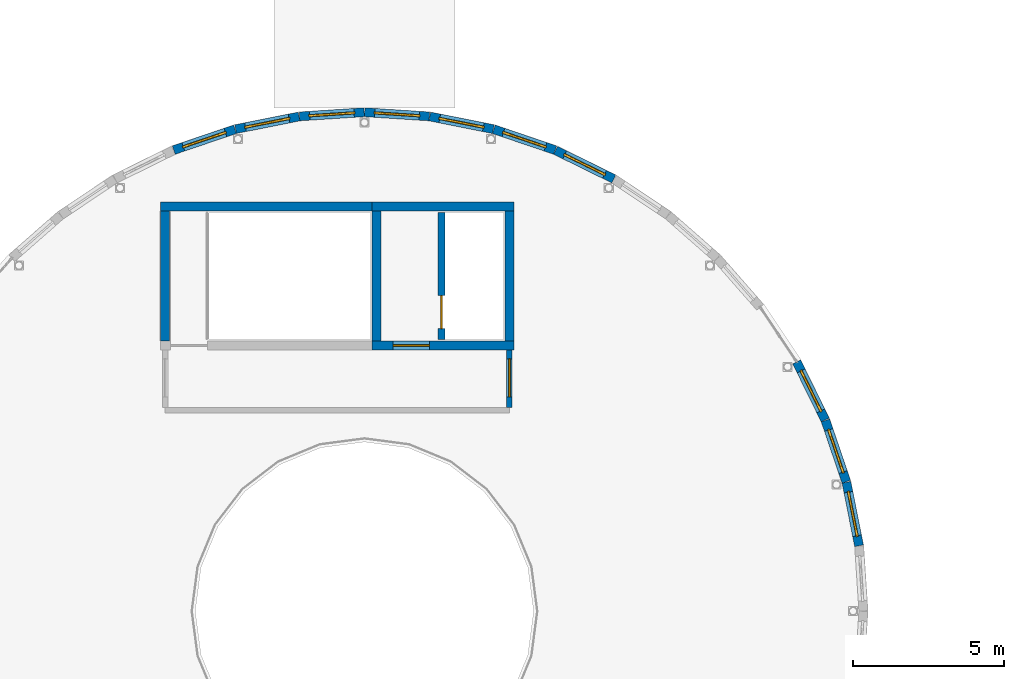
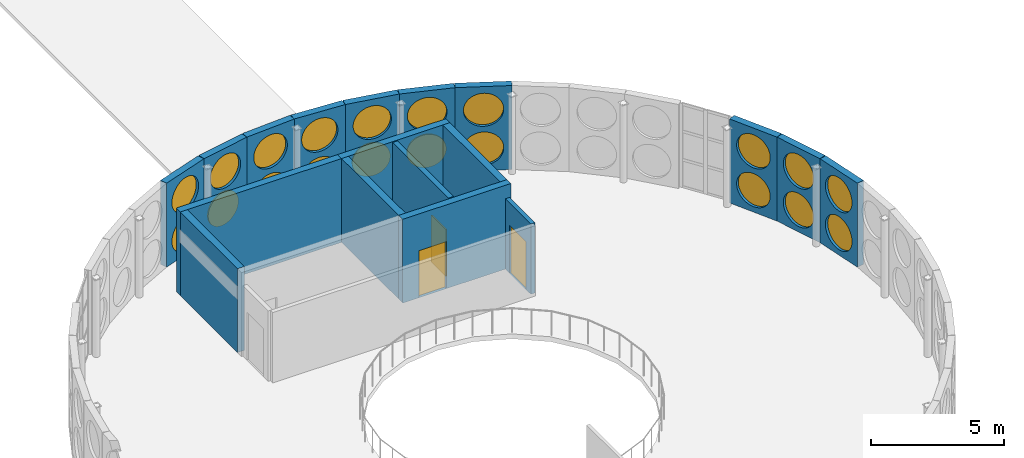
# One storey, part 88 of 114: 20 windows, 18 walls, 3 doors, 23 openings.
"""IFC4 building model written with IfcOpenShell, lengths in metres."""

from ifc_helpers import new_model, si_unit, direction, frame, frame_2d, origin, place, context, subcontext, project, spatial, rectangle, circle, extrude, material, layer, layer_set, type_object, element, fill, save


model = new_model("IFC4")

# Units and contexts
model_context = context("Model", 3, precision=1e-05, world=origin(), true_north=direction((0.0, 1.0)))
body_context = subcontext(model_context, "Body", "Model", "MODEL_VIEW")
ifc_project = project(units=[si_unit("LENGTHUNIT", "METRE"), si_unit("AREAUNIT", "SQUARE_METRE"), si_unit("VOLUMEUNIT", "CUBIC_METRE"), si_unit("PLANEANGLEUNIT", "RADIAN"), si_unit("MASSUNIT", "GRAM", prefix="KILO")], contexts=[model_context])

# Site, building, storey
site_placement = place(None, origin())
site = spatial("IfcSite", under=ifc_project, at=site_placement, CompositionType="ELEMENT")
building_placement = place(site_placement, origin())
building = spatial("IfcBuilding", under=site, at=building_placement, Name="Montecoro Central Library", CompositionType="ELEMENT")
storey_placement = place(building_placement, frame((0.0, 0.0, 13.260009765625)))
storey = spatial("IfcBuildingStorey", under=building, at=storey_placement, Name="L03", CompositionType="ELEMENT", Elevation=13.260009765625)

# Wall, openings, windows
ifc_material_1 = material(Name="Travertine Roman Stone and concrete C35/45", Category="masonry")
ifc_layer_1 = layer(ifc_material_1, 0.294921875)
ifc_layer_set_1 = layer_set([ifc_layer_1], Name="Travertine Roman Stone and concrete C35/45")
wall_type_1 = type_object("IfcWallType", Name="EW-DRM-295", PredefinedType="SOLIDWALL", material=ifc_layer_set_1)
wall_1_placement = place(storey_placement, frame((107.97705078125, 37.56396484375, 0.0), z_axis=(0.0, 0.0, 1.0), x_axis=(-0.194846526766, 0.980833742796, 0.0)))
wall_1 = element("IfcWall", 1, at=wall_1_placement, inside=storey, type_object=wall_type_1, Name="V1-L03-EW-02", PredefinedType="SOLIDWALL", context=body_context, shape_type="SweptSolid", body=[
    extrude(rectangle(XDim=2.14501953125, YDim=0.294921875, at=frame_2d((1.072509765625, 0.0))), origin(), (0.0, 0.0, 1.0), 3.85498046875),
])
opening_1_placement = place(wall_1_placement, frame((0.31298828125, 0.0, 0.25)))
opening_1 = element("IfcOpeningElement", 2, at=opening_1_placement, cuts=wall_1, Name="Opening WP-06", PredefinedType="OPENING", context=body_context, shape_type="SweptSolid", body=[
    extrude(circle(Radius=0.760009765625, at=frame_2d((0.760009765625, 0.760009765625))), frame((0.0, 0.157470703125, 0.0), z_axis=(0.0, -1.0, 0.0), x_axis=(1.0, 0.0, 0.0)), (0.0, 0.0, 1.0), 0.31494140625),
])
opening_2_placement = place(wall_1_placement, frame((0.31298828125, 0.0, 2.030029296875)))
opening_2 = element("IfcOpeningElement", 3, at=opening_2_placement, cuts=wall_1, Name="Opening WP-05", PredefinedType="OPENING", context=body_context, shape_type="SweptSolid", body=[
    extrude(circle(Radius=0.760009765625, at=frame_2d((0.760009765625, 0.760009765625))), frame((0.0, 0.157470703125, 0.0), z_axis=(0.0, -1.0, 0.0), x_axis=(1.0, 0.0, 0.0)), (0.0, 0.0, 1.0), 0.31494140625),
])
ifc_material_2 = material(Name="Clear sky-blue low-E laminated glazing", Category="glass")
window_type_1 = type_object("IfcWindowType", Name="WN-POR-CLR-152", PartitioningType="SINGLE_PANEL", PredefinedType="WINDOW", material=ifc_material_2)
window_1_placement = place(opening_2_placement, origin())
window_1 = element("IfcWindow", 4, at=window_1_placement, inside=storey, type_object=window_type_1, Name="V1-L03-WP-02-2", OverallHeight=1.52001953125, OverallWidth=1.52001953125, PartitioningType="SINGLE_PANEL", PredefinedType="WINDOW", context=body_context, shape_type="SweptSolid", body=[
    extrude(circle(Radius=0.760009765625, at=frame_2d((0.760009765625, 0.760009765625))), frame((0.0, 0.030029296875, 0.0), z_axis=(0.0, -1.0, 0.0), x_axis=(1.0, 0.0, 0.0)), (0.0, 0.0, 1.0), 0.06005859375),
])
fill(opening_2, window_1)
ifc_material_3 = material(Name="Frosted pearl-white ceramic-fritted glazing", Category="glass")
window_type_2 = type_object("IfcWindowType", Name="WN-POR-FRT-152", PartitioningType="SINGLE_PANEL", PredefinedType="WINDOW", material=ifc_material_3)
window_2_placement = place(opening_1_placement, origin())
window_2 = element("IfcWindow", 5, at=window_2_placement, inside=storey, type_object=window_type_2, Name="V1-L03-WP-02-1", OverallHeight=1.52001953125, OverallWidth=1.52001953125, PartitioningType="SINGLE_PANEL", PredefinedType="WINDOW", context=body_context, shape_type="SweptSolid", body=[
    extrude(circle(Radius=0.760009765625, at=frame_2d((0.760009765625, 0.760009765625))), frame((0.0, 0.030029296875, 0.0), z_axis=(0.0, -1.0, 0.0), x_axis=(1.0, 0.0, 0.0)), (0.0, 0.0, 1.0), 0.06005859375),
])
fill(opening_1, window_2)

wall_2_placement = place(storey_placement, frame((107.553955078125, 39.68408203125, 0.0), z_axis=(0.0, 0.0, 1.0), x_axis=(-0.321382058047, 0.946949614692, 0.0)))
wall_2 = element("IfcWall", 6, at=wall_2_placement, inside=storey, type_object=wall_type_1, Name="V1-L03-EW-03", PredefinedType="SOLIDWALL", context=body_context, shape_type="SweptSolid", body=[
    extrude(rectangle(XDim=2.143798828125, YDim=0.294921875, at=frame_2d((1.07177734375, 0.0))), origin(), (0.0, 0.0, 1.0), 3.85498046875),
])
opening_3_placement = place(wall_2_placement, frame((0.31201171875, 0.0, 0.25)))
opening_3 = element("IfcOpeningElement", 7, at=opening_3_placement, cuts=wall_2, Name="Opening WP-05", PredefinedType="OPENING", context=body_context, shape_type="SweptSolid", body=[
    extrude(circle(Radius=0.760009765625, at=frame_2d((0.760009765625, 0.760009765625))), frame((0.0, 0.157470703125, 0.0), z_axis=(0.0, -1.0, 0.0), x_axis=(1.0, 0.0, 0.0)), (0.0, 0.0, 1.0), 0.31494140625),
])
opening_4_placement = place(wall_2_placement, frame((0.31201171875, 0.0, 2.030029296875)))
opening_4 = element("IfcOpeningElement", 8, at=opening_4_placement, cuts=wall_2, Name="Opening WP-06", PredefinedType="OPENING", context=body_context, shape_type="SweptSolid", body=[
    extrude(circle(Radius=0.760009765625, at=frame_2d((0.760009765625, 0.760009765625))), frame((0.0, 0.157470703125, 0.0), z_axis=(0.0, -1.0, 0.0), x_axis=(1.0, 0.0, 0.0)), (0.0, 0.0, 1.0), 0.31494140625),
])
window_3_placement = place(opening_3_placement, origin())
window_3 = element("IfcWindow", 9, at=window_3_placement, inside=storey, type_object=window_type_1, Name="V1-L03-WP-03-1", OverallHeight=1.52001953125, OverallWidth=1.52001953125, PartitioningType="SINGLE_PANEL", PredefinedType="WINDOW", context=body_context, shape_type="SweptSolid", body=[
    extrude(circle(Radius=0.760009765625, at=frame_2d((0.760009765625, 0.760009765625))), frame((0.0, 0.030029296875, 0.0), z_axis=(0.0, -1.0, 0.0), x_axis=(1.0, 0.0, 0.0)), (0.0, 0.0, 1.0), 0.06005859375),
])
fill(opening_3, window_3)
window_4_placement = place(opening_4_placement, origin())
window_4 = element("IfcWindow", 10, at=window_4_placement, inside=storey, type_object=window_type_2, Name="V1-L03-WP-03-2", OverallHeight=1.52001953125, OverallWidth=1.52001953125, PartitioningType="SINGLE_PANEL", PredefinedType="WINDOW", context=body_context, shape_type="SweptSolid", body=[
    extrude(circle(Radius=0.760009765625, at=frame_2d((0.760009765625, 0.760009765625))), frame((0.0, 0.030029296875, 0.0), z_axis=(0.0, -1.0, 0.0), x_axis=(1.0, 0.0, 0.0)), (0.0, 0.0, 1.0), 0.06005859375),
])
fill(opening_4, window_4)

wall_3_placement = place(storey_placement, frame((106.85791015625, 41.72900390625, 0.0), z_axis=(0.0, 0.0, 1.0), x_axis=(-0.441603666205, 0.897210232885, 0.0)))
wall_3 = element("IfcWall", 11, at=wall_3_placement, inside=storey, type_object=wall_type_1, Name="V1-L03-EW-04", PredefinedType="SOLIDWALL", context=body_context, shape_type="SweptSolid", body=[
    extrude(rectangle(XDim=2.14453125, YDim=0.294921875, at=frame_2d((1.072265625, 0.0))), origin(), (0.0, 0.0, 1.0), 3.85498046875),
])
opening_5_placement = place(wall_3_placement, frame((0.31201171875, 0.0, 0.25)))
opening_5 = element("IfcOpeningElement", 12, at=opening_5_placement, cuts=wall_3, Name="Opening WP-06", PredefinedType="OPENING", context=body_context, shape_type="SweptSolid", body=[
    extrude(circle(Radius=0.760009765625, at=frame_2d((0.760009765625, 0.760009765625))), frame((0.0, 0.157470703125, 0.0), z_axis=(0.0, -1.0, 0.0), x_axis=(1.0, 0.0, 0.0)), (0.0, 0.0, 1.0), 0.31494140625),
])
opening_6_placement = place(wall_3_placement, frame((0.31201171875, 0.0, 2.030029296875)))
opening_6 = element("IfcOpeningElement", 13, at=opening_6_placement, cuts=wall_3, Name="Opening WP-05", PredefinedType="OPENING", context=body_context, shape_type="SweptSolid", body=[
    extrude(circle(Radius=0.760009765625, at=frame_2d((0.760009765625, 0.760009765625))), frame((0.0, 0.157470703125, 0.0), z_axis=(0.0, -1.0, 0.0), x_axis=(1.0, 0.0, 0.0)), (0.0, 0.0, 1.0), 0.31494140625),
])
window_5_placement = place(opening_6_placement, origin())
window_5 = element("IfcWindow", 14, at=window_5_placement, inside=storey, type_object=window_type_1, Name="V1-L03-WP-04-2", OverallHeight=1.52001953125, OverallWidth=1.52001953125, PartitioningType="SINGLE_PANEL", PredefinedType="WINDOW", context=body_context, shape_type="SweptSolid", body=[
    extrude(circle(Radius=0.760009765625, at=frame_2d((0.760009765625, 0.760009765625))), frame((0.0, 0.030029296875, 0.0), z_axis=(0.0, -1.0, 0.0), x_axis=(1.0, 0.0, 0.0)), (0.0, 0.0, 1.0), 0.06005859375),
])
fill(opening_6, window_5)
window_6_placement = place(opening_5_placement, origin())
window_6 = element("IfcWindow", 15, at=window_6_placement, inside=storey, type_object=window_type_2, Name="V1-L03-WP-04-1", OverallHeight=1.52001953125, OverallWidth=1.52001953125, PartitioningType="SINGLE_PANEL", PredefinedType="WINDOW", context=body_context, shape_type="SweptSolid", body=[
    extrude(circle(Radius=0.760009765625, at=frame_2d((0.760009765625, 0.760009765625))), frame((0.0, 0.030029296875, 0.0), z_axis=(0.0, -1.0, 0.0), x_axis=(1.0, 0.0, 0.0)), (0.0, 0.0, 1.0), 0.06005859375),
])
fill(opening_5, window_6)

wall_4_placement = place(storey_placement, frame((99.85302734375, 49.7109375, 0.0), z_axis=(0.0, 0.0, 1.0), x_axis=(-0.897210232885, 0.441603666205, 0.0)))
wall_4 = element("IfcWall", 16, at=wall_4_placement, inside=storey, type_object=wall_type_1, Name="V1-L03-EW-09", PredefinedType="SOLIDWALL", context=body_context, shape_type="SweptSolid", body=[
    extrude(rectangle(XDim=2.14453125, YDim=0.294921875, at=frame_2d((1.072265625, 0.0))), origin(), (0.0, 0.0, 1.0), 3.85498046875),
])
opening_7_placement = place(wall_4_placement, frame((0.31201171875, 0.0, 0.25)))
opening_7 = element("IfcOpeningElement", 17, at=opening_7_placement, cuts=wall_4, Name="Opening WP-05", PredefinedType="OPENING", context=body_context, shape_type="SweptSolid", body=[
    extrude(circle(Radius=0.760009765625, at=frame_2d((0.760009765625, 0.760009765625))), frame((0.0, 0.157470703125, 0.0), z_axis=(0.0, -1.0, 0.0), x_axis=(1.0, 0.0, 0.0)), (0.0, 0.0, 1.0), 0.31494140625),
])
opening_8_placement = place(wall_4_placement, frame((0.31201171875, 0.0, 2.030029296875)))
opening_8 = element("IfcOpeningElement", 18, at=opening_8_placement, cuts=wall_4, Name="Opening WP-06", PredefinedType="OPENING", context=body_context, shape_type="SweptSolid", body=[
    extrude(circle(Radius=0.760009765625, at=frame_2d((0.760009765625, 0.760009765625))), frame((0.0, 0.157470703125, 0.0), z_axis=(0.0, -1.0, 0.0), x_axis=(1.0, 0.0, 0.0)), (0.0, 0.0, 1.0), 0.31494140625),
])
window_7_placement = place(opening_7_placement, origin())
window_7 = element("IfcWindow", 19, at=window_7_placement, inside=storey, type_object=window_type_1, Name="V1-L03-WP-09-1", OverallHeight=1.52001953125, OverallWidth=1.52001953125, PartitioningType="SINGLE_PANEL", PredefinedType="WINDOW", context=body_context, shape_type="SweptSolid", body=[
    extrude(circle(Radius=0.760009765625, at=frame_2d((0.760009765625, 0.760009765625))), frame((0.0, 0.030029296875, 0.0), z_axis=(0.0, -1.0, 0.0), x_axis=(1.0, 0.0, 0.0)), (0.0, 0.0, 1.0), 0.06005859375),
])
fill(opening_7, window_7)
window_8_placement = place(opening_8_placement, origin())
window_8 = element("IfcWindow", 20, at=window_8_placement, inside=storey, type_object=window_type_2, Name="V1-L03-WP-09-2", OverallHeight=1.52001953125, OverallWidth=1.52001953125, PartitioningType="SINGLE_PANEL", PredefinedType="WINDOW", context=body_context, shape_type="SweptSolid", body=[
    extrude(circle(Radius=0.760009765625, at=frame_2d((0.760009765625, 0.760009765625))), frame((0.0, 0.030029296875, 0.0), z_axis=(0.0, -1.0, 0.0), x_axis=(1.0, 0.0, 0.0)), (0.0, 0.0, 1.0), 0.06005859375),
])
fill(opening_8, window_8)

wall_5_placement = place(storey_placement, frame((97.9140625, 50.6650390625, 0.0), z_axis=(0.0, 0.0, 1.0), x_axis=(-0.946949614692, 0.321382058047, 0.0)))
wall_5 = element("IfcWall", 21, at=wall_5_placement, inside=storey, type_object=wall_type_1, Name="V1-L03-EW-10", PredefinedType="SOLIDWALL", context=body_context, shape_type="SweptSolid", body=[
    extrude(rectangle(XDim=2.143798828125, YDim=0.294921875, at=frame_2d((1.07177734375, 0.0))), origin(), (0.0, 0.0, 1.0), 3.85498046875),
])
opening_9_placement = place(wall_5_placement, frame((0.31201171875, 0.0, 0.25)))
opening_9 = element("IfcOpeningElement", 22, at=opening_9_placement, cuts=wall_5, Name="Opening WP-06", PredefinedType="OPENING", context=body_context, shape_type="SweptSolid", body=[
    extrude(circle(Radius=0.760009765625, at=frame_2d((0.760009765625, 0.760009765625))), frame((0.0, 0.157470703125, 0.0), z_axis=(0.0, -1.0, 0.0), x_axis=(1.0, 0.0, 0.0)), (0.0, 0.0, 1.0), 0.31494140625),
])
opening_10_placement = place(wall_5_placement, frame((0.31201171875, 0.0, 2.030029296875)))
opening_10 = element("IfcOpeningElement", 23, at=opening_10_placement, cuts=wall_5, Name="Opening WP-05", PredefinedType="OPENING", context=body_context, shape_type="SweptSolid", body=[
    extrude(circle(Radius=0.760009765625, at=frame_2d((0.760009765625, 0.760009765625))), frame((0.0, 0.157470703125, 0.0), z_axis=(0.0, -1.0, 0.0), x_axis=(1.0, 0.0, 0.0)), (0.0, 0.0, 1.0), 0.31494140625),
])
window_9_placement = place(opening_10_placement, origin())
window_9 = element("IfcWindow", 24, at=window_9_placement, inside=storey, type_object=window_type_1, Name="V1-L03-WP-10-2", OverallHeight=1.52001953125, OverallWidth=1.52001953125, PartitioningType="SINGLE_PANEL", PredefinedType="WINDOW", context=body_context, shape_type="SweptSolid", body=[
    extrude(circle(Radius=0.760009765625, at=frame_2d((0.760009765625, 0.760009765625))), frame((0.0, 0.030029296875, 0.0), z_axis=(0.0, -1.0, 0.0), x_axis=(1.0, 0.0, 0.0)), (0.0, 0.0, 1.0), 0.06005859375),
])
fill(opening_10, window_9)
window_10_placement = place(opening_9_placement, origin())
window_10 = element("IfcWindow", 25, at=window_10_placement, inside=storey, type_object=window_type_2, Name="V1-L03-WP-10-1", OverallHeight=1.52001953125, OverallWidth=1.52001953125, PartitioningType="SINGLE_PANEL", PredefinedType="WINDOW", context=body_context, shape_type="SweptSolid", body=[
    extrude(circle(Radius=0.760009765625, at=frame_2d((0.760009765625, 0.760009765625))), frame((0.0, 0.030029296875, 0.0), z_axis=(0.0, -1.0, 0.0), x_axis=(1.0, 0.0, 0.0)), (0.0, 0.0, 1.0), 0.06005859375),
])
fill(opening_9, window_10)

wall_6_placement = place(storey_placement, frame((95.867919921875, 51.35888671875, 0.0), z_axis=(0.0, 0.0, 1.0), x_axis=(-0.98081198628, 0.194956014446, 0.0)))
wall_6 = element("IfcWall", 26, at=wall_6_placement, inside=storey, type_object=wall_type_1, Name="V1-L03-EW-11", PredefinedType="SOLIDWALL", context=body_context, shape_type="SweptSolid", body=[
    extrude(rectangle(XDim=2.145263671875, YDim=0.294921875, at=frame_2d((1.07275390625, 0.0))), origin(), (0.0, 0.0, 1.0), 3.85498046875),
])
opening_11_placement = place(wall_6_placement, frame((0.31298828125, 0.0, 0.25)))
opening_11 = element("IfcOpeningElement", 27, at=opening_11_placement, cuts=wall_6, Name="Opening WP-05", PredefinedType="OPENING", context=body_context, shape_type="SweptSolid", body=[
    extrude(circle(Radius=0.760009765625, at=frame_2d((0.760009765625, 0.760009765625))), frame((0.0, 0.157470703125, 0.0), z_axis=(0.0, -1.0, 0.0), x_axis=(1.0, 0.0, 0.0)), (0.0, 0.0, 1.0), 0.31494140625),
])
opening_12_placement = place(wall_6_placement, frame((0.31298828125, 0.0, 2.030029296875)))
opening_12 = element("IfcOpeningElement", 28, at=opening_12_placement, cuts=wall_6, Name="Opening WP-06", PredefinedType="OPENING", context=body_context, shape_type="SweptSolid", body=[
    extrude(circle(Radius=0.760009765625, at=frame_2d((0.760009765625, 0.760009765625))), frame((0.0, 0.157470703125, 0.0), z_axis=(0.0, -1.0, 0.0), x_axis=(1.0, 0.0, 0.0)), (0.0, 0.0, 1.0), 0.31494140625),
])
window_11_placement = place(opening_11_placement, origin())
window_11 = element("IfcWindow", 29, at=window_11_placement, inside=storey, type_object=window_type_1, Name="V1-L03-WP-11-1", OverallHeight=1.52001953125, OverallWidth=1.52001953125, PartitioningType="SINGLE_PANEL", PredefinedType="WINDOW", context=body_context, shape_type="SweptSolid", body=[
    extrude(circle(Radius=0.760009765625, at=frame_2d((0.760009765625, 0.760009765625))), frame((0.0, 0.030029296875, 0.0), z_axis=(0.0, -1.0, 0.0), x_axis=(1.0, 0.0, 0.0)), (0.0, 0.0, 1.0), 0.06005859375),
])
fill(opening_11, window_11)
window_12_placement = place(opening_12_placement, origin())
window_12 = element("IfcWindow", 30, at=window_12_placement, inside=storey, type_object=window_type_2, Name="V1-L03-WP-11-2", OverallHeight=1.52001953125, OverallWidth=1.52001953125, PartitioningType="SINGLE_PANEL", PredefinedType="WINDOW", context=body_context, shape_type="SweptSolid", body=[
    extrude(circle(Radius=0.760009765625, at=frame_2d((0.760009765625, 0.760009765625))), frame((0.0, 0.030029296875, 0.0), z_axis=(0.0, -1.0, 0.0), x_axis=(1.0, 0.0, 0.0)), (0.0, 0.0, 1.0), 0.06005859375),
])
fill(opening_12, window_12)

wall_7_placement = place(storey_placement, frame((93.748046875, 51.780029296875, 0.0), z_axis=(0.0, 0.0, 1.0), x_axis=(-0.997899987449, 0.064773567518, 0.0)))
wall_7 = element("IfcWall", 31, at=wall_7_placement, inside=storey, type_object=wall_type_1, Name="V1-L03-EW-12", PredefinedType="SOLIDWALL", context=body_context, shape_type="SweptSolid", body=[
    extrude(rectangle(XDim=2.14453125, YDim=0.294921875, at=frame_2d((1.072265625, 0.0))), origin(), (0.0, 0.0, 1.0), 3.85498046875),
])
opening_13_placement = place(wall_7_placement, frame((0.31201171875, 0.0, 0.25)))
opening_13 = element("IfcOpeningElement", 32, at=opening_13_placement, cuts=wall_7, Name="Opening WP-06", PredefinedType="OPENING", context=body_context, shape_type="SweptSolid", body=[
    extrude(circle(Radius=0.760009765625, at=frame_2d((0.760009765625, 0.760009765625))), frame((0.0, 0.157470703125, 0.0), z_axis=(0.0, -1.0, 0.0), x_axis=(1.0, 0.0, 0.0)), (0.0, 0.0, 1.0), 0.31494140625),
])
opening_14_placement = place(wall_7_placement, frame((0.31201171875, 0.0, 2.030029296875)))
opening_14 = element("IfcOpeningElement", 33, at=opening_14_placement, cuts=wall_7, Name="Opening WP-05", PredefinedType="OPENING", context=body_context, shape_type="SweptSolid", body=[
    extrude(circle(Radius=0.760009765625, at=frame_2d((0.760009765625, 0.760009765625))), frame((0.0, 0.157470703125, 0.0), z_axis=(0.0, -1.0, 0.0), x_axis=(1.0, 0.0, 0.0)), (0.0, 0.0, 1.0), 0.31494140625),
])
window_13_placement = place(opening_14_placement, origin())
window_13 = element("IfcWindow", 34, at=window_13_placement, inside=storey, type_object=window_type_1, Name="V1-L03-WP-12-2", OverallHeight=1.52001953125, OverallWidth=1.52001953125, PartitioningType="SINGLE_PANEL", PredefinedType="WINDOW", context=body_context, shape_type="SweptSolid", body=[
    extrude(circle(Radius=0.760009765625, at=frame_2d((0.760009765625, 0.760009765625))), frame((0.0, 0.030029296875, 0.0), z_axis=(0.0, -1.0, 0.0), x_axis=(1.0, 0.0, 0.0)), (0.0, 0.0, 1.0), 0.06005859375),
])
fill(opening_14, window_13)
window_14_placement = place(opening_13_placement, origin())
window_14 = element("IfcWindow", 35, at=window_14_placement, inside=storey, type_object=window_type_2, Name="V1-L03-WP-12-1", OverallHeight=1.52001953125, OverallWidth=1.52001953125, PartitioningType="SINGLE_PANEL", PredefinedType="WINDOW", context=body_context, shape_type="SweptSolid", body=[
    extrude(circle(Radius=0.760009765625, at=frame_2d((0.760009765625, 0.760009765625))), frame((0.0, 0.030029296875, 0.0), z_axis=(0.0, -1.0, 0.0), x_axis=(1.0, 0.0, 0.0)), (0.0, 0.0, 1.0), 0.06005859375),
])
fill(opening_13, window_14)

wall_8_placement = place(storey_placement, frame((91.592041015625, 51.9189453125, 0.0), z_axis=(0.0, 0.0, 1.0), x_axis=(-0.997899987449, -0.064773567518, 0.0)))
wall_8 = element("IfcWall", 36, at=wall_8_placement, inside=storey, type_object=wall_type_1, Name="V1-L03-EW-13", PredefinedType="SOLIDWALL", context=body_context, shape_type="SweptSolid", body=[
    extrude(rectangle(XDim=2.14453125, YDim=0.294921875, at=frame_2d((1.072265625, 0.0))), origin(), (0.0, 0.0, 1.0), 3.85498046875),
])
opening_15_placement = place(wall_8_placement, frame((0.31201171875, 0.0, 0.25)))
opening_15 = element("IfcOpeningElement", 37, at=opening_15_placement, cuts=wall_8, Name="Opening WP-05", PredefinedType="OPENING", context=body_context, shape_type="SweptSolid", body=[
    extrude(circle(Radius=0.760009765625, at=frame_2d((0.760009765625, 0.760009765625))), frame((0.0, 0.157470703125, 0.0), z_axis=(0.0, -1.0, 0.0), x_axis=(1.0, 0.0, 0.0)), (0.0, 0.0, 1.0), 0.31494140625),
])
opening_16_placement = place(wall_8_placement, frame((0.31201171875, 0.0, 2.030029296875)))
opening_16 = element("IfcOpeningElement", 38, at=opening_16_placement, cuts=wall_8, Name="Opening WP-06", PredefinedType="OPENING", context=body_context, shape_type="SweptSolid", body=[
    extrude(circle(Radius=0.760009765625, at=frame_2d((0.760009765625, 0.760009765625))), frame((0.0, 0.157470703125, 0.0), z_axis=(0.0, -1.0, 0.0), x_axis=(1.0, 0.0, 0.0)), (0.0, 0.0, 1.0), 0.31494140625),
])
window_15_placement = place(opening_15_placement, origin())
window_15 = element("IfcWindow", 39, at=window_15_placement, inside=storey, type_object=window_type_1, Name="V1-L03-WP-13-1", OverallHeight=1.52001953125, OverallWidth=1.52001953125, PartitioningType="SINGLE_PANEL", PredefinedType="WINDOW", context=body_context, shape_type="SweptSolid", body=[
    extrude(circle(Radius=0.760009765625, at=frame_2d((0.760009765625, 0.760009765625))), frame((0.0, 0.030029296875, 0.0), z_axis=(0.0, -1.0, 0.0), x_axis=(1.0, 0.0, 0.0)), (0.0, 0.0, 1.0), 0.06005859375),
])
fill(opening_15, window_15)
window_16_placement = place(opening_16_placement, origin())
window_16 = element("IfcWindow", 40, at=window_16_placement, inside=storey, type_object=window_type_2, Name="V1-L03-WP-13-2", OverallHeight=1.52001953125, OverallWidth=1.52001953125, PartitioningType="SINGLE_PANEL", PredefinedType="WINDOW", context=body_context, shape_type="SweptSolid", body=[
    extrude(circle(Radius=0.760009765625, at=frame_2d((0.760009765625, 0.760009765625))), frame((0.0, 0.030029296875, 0.0), z_axis=(0.0, -1.0, 0.0), x_axis=(1.0, 0.0, 0.0)), (0.0, 0.0, 1.0), 0.06005859375),
])
fill(opening_16, window_16)

wall_9_placement = place(storey_placement, frame((89.43603515625, 51.777099609375, 0.0), z_axis=(0.0, 0.0, 1.0), x_axis=(-0.98081198628, -0.194956014446, 0.0)))
wall_9 = element("IfcWall", 41, at=wall_9_placement, inside=storey, type_object=wall_type_1, Name="V1-L03-EW-14", PredefinedType="SOLIDWALL", context=body_context, shape_type="SweptSolid", body=[
    extrude(rectangle(XDim=2.145263671875, YDim=0.294921875, at=frame_2d((1.07275390625, 0.0))), origin(), (0.0, 0.0, 1.0), 3.85498046875),
])
opening_17_placement = place(wall_9_placement, frame((0.31298828125, 0.0, 0.25)))
opening_17 = element("IfcOpeningElement", 42, at=opening_17_placement, cuts=wall_9, Name="Opening WP-06", PredefinedType="OPENING", context=body_context, shape_type="SweptSolid", body=[
    extrude(circle(Radius=0.760009765625, at=frame_2d((0.760009765625, 0.760009765625))), frame((0.0, 0.157470703125, 0.0), z_axis=(0.0, -1.0, 0.0), x_axis=(1.0, 0.0, 0.0)), (0.0, 0.0, 1.0), 0.31494140625),
])
opening_18_placement = place(wall_9_placement, frame((0.31298828125, 0.0, 2.030029296875)))
opening_18 = element("IfcOpeningElement", 43, at=opening_18_placement, cuts=wall_9, Name="Opening WP-05", PredefinedType="OPENING", context=body_context, shape_type="SweptSolid", body=[
    extrude(circle(Radius=0.760009765625, at=frame_2d((0.760009765625, 0.760009765625))), frame((0.0, 0.157470703125, 0.0), z_axis=(0.0, -1.0, 0.0), x_axis=(1.0, 0.0, 0.0)), (0.0, 0.0, 1.0), 0.31494140625),
])
window_17_placement = place(opening_18_placement, origin())
window_17 = element("IfcWindow", 44, at=window_17_placement, inside=storey, type_object=window_type_1, Name="V1-L03-WP-14-2", OverallHeight=1.52001953125, OverallWidth=1.52001953125, PartitioningType="SINGLE_PANEL", PredefinedType="WINDOW", context=body_context, shape_type="SweptSolid", body=[
    extrude(circle(Radius=0.760009765625, at=frame_2d((0.760009765625, 0.760009765625))), frame((0.0, 0.030029296875, 0.0), z_axis=(0.0, -1.0, 0.0), x_axis=(1.0, 0.0, 0.0)), (0.0, 0.0, 1.0), 0.06005859375),
])
fill(opening_18, window_17)
window_18_placement = place(opening_17_placement, origin())
window_18 = element("IfcWindow", 45, at=window_18_placement, inside=storey, type_object=window_type_2, Name="V1-L03-WP-14-1", OverallHeight=1.52001953125, OverallWidth=1.52001953125, PartitioningType="SINGLE_PANEL", PredefinedType="WINDOW", context=body_context, shape_type="SweptSolid", body=[
    extrude(circle(Radius=0.760009765625, at=frame_2d((0.760009765625, 0.760009765625))), frame((0.0, 0.030029296875, 0.0), z_axis=(0.0, -1.0, 0.0), x_axis=(1.0, 0.0, 0.0)), (0.0, 0.0, 1.0), 0.06005859375),
])
fill(opening_17, window_18)

wall_10_placement = place(storey_placement, frame((87.31591796875, 51.35400390625, 0.0), z_axis=(0.0, 0.0, 1.0), x_axis=(-0.946949614692, -0.321382058047, 0.0)))
wall_10 = element("IfcWall", 46, at=wall_10_placement, inside=storey, type_object=wall_type_1, Name="V1-L03-EW-15", PredefinedType="SOLIDWALL", context=body_context, shape_type="SweptSolid", body=[
    extrude(rectangle(XDim=2.143798828125, YDim=0.294921875, at=frame_2d((1.07177734375, 0.0))), origin(), (0.0, 0.0, 1.0), 3.85498046875),
])
opening_19_placement = place(wall_10_placement, frame((0.31201171875, 0.0, 0.25)))
opening_19 = element("IfcOpeningElement", 47, at=opening_19_placement, cuts=wall_10, Name="Opening WP-05", PredefinedType="OPENING", context=body_context, shape_type="SweptSolid", body=[
    extrude(circle(Radius=0.760009765625, at=frame_2d((0.760009765625, 0.760009765625))), frame((0.0, 0.157470703125, 0.0), z_axis=(0.0, -1.0, 0.0), x_axis=(1.0, 0.0, 0.0)), (0.0, 0.0, 1.0), 0.31494140625),
])
opening_20_placement = place(wall_10_placement, frame((0.31201171875, 0.0, 2.030029296875)))
opening_20 = element("IfcOpeningElement", 48, at=opening_20_placement, cuts=wall_10, Name="Opening WP-06", PredefinedType="OPENING", context=body_context, shape_type="SweptSolid", body=[
    extrude(circle(Radius=0.760009765625, at=frame_2d((0.760009765625, 0.760009765625))), frame((0.0, 0.157470703125, 0.0), z_axis=(0.0, -1.0, 0.0), x_axis=(1.0, 0.0, 0.0)), (0.0, 0.0, 1.0), 0.31494140625),
])
window_19_placement = place(opening_19_placement, origin())
window_19 = element("IfcWindow", 49, at=window_19_placement, inside=storey, type_object=window_type_1, Name="V1-L03-WP-15-1", OverallHeight=1.52001953125, OverallWidth=1.52001953125, PartitioningType="SINGLE_PANEL", PredefinedType="WINDOW", context=body_context, shape_type="SweptSolid", body=[
    extrude(circle(Radius=0.760009765625, at=frame_2d((0.760009765625, 0.760009765625))), frame((0.0, 0.030029296875, 0.0), z_axis=(0.0, -1.0, 0.0), x_axis=(1.0, 0.0, 0.0)), (0.0, 0.0, 1.0), 0.06005859375),
])
fill(opening_19, window_19)
window_20_placement = place(opening_20_placement, origin())
window_20 = element("IfcWindow", 50, at=window_20_placement, inside=storey, type_object=window_type_2, Name="V1-L03-WP-15-2", OverallHeight=1.52001953125, OverallWidth=1.52001953125, PartitioningType="SINGLE_PANEL", PredefinedType="WINDOW", context=body_context, shape_type="SweptSolid", body=[
    extrude(circle(Radius=0.760009765625, at=frame_2d((0.760009765625, 0.760009765625))), frame((0.0, 0.030029296875, 0.0), z_axis=(0.0, -1.0, 0.0), x_axis=(1.0, 0.0, 0.0)), (0.0, 0.0, 1.0), 0.06005859375),
])
fill(opening_20, window_20)

# Wall, opening, door
ifc_material_4 = material(Name="Gypsum fire-rated partition")
ifc_layer_2 = layer(ifc_material_4, 0.179931640625)
ifc_layer_set_2 = layer_set([ifc_layer_2], Name="Gypsum fire-rated partition")
wall_type_2 = type_object("IfcWallType", Name="IW-COR-180", PredefinedType="PARTITIONING", material=ifc_layer_set_2)
wall_11_placement = place(storey_placement, frame((96.39990234375, 42.139892578125, 0.0), z_axis=(0.0, 0.0, 1.0), x_axis=(0.0, 1.0, 0.0)))
wall_11 = element("IfcWall", 51, at=wall_11_placement, inside=storey, type_object=wall_type_2, Name="V1-L03-FOY-WE", PredefinedType="PARTITIONING", context=body_context, shape_type="SweptSolid", body=[
    extrude(rectangle(XDim=1.91015625, YDim=0.179931640625, at=frame_2d((0.955078125, 0.0))), origin(), (0.0, 0.0, 1.0), 3.22998046875),
])
opening_21_placement = place(wall_11_placement, frame((0.35009765625, 0.0, 0.0)))
opening_21 = element("IfcOpeningElement", 52, at=opening_21_placement, cuts=wall_11, Name="Opening ID-09", PredefinedType="OPENING", context=body_context, shape_type="SweptSolid", body=[
    extrude(rectangle(XDim=1.260009765625, YDim=2.199951171875, at=frame_2d((0.6298828125, 1.10009765625))), frame((0.0, 0.099853515625, 0.0), z_axis=(0.0, -1.0, 0.0), x_axis=(1.0, 0.0, 0.0)), (0.0, 0.0, 1.0), 0.199951171875),
])
ifc_material_5 = material(Name="Solid oak and fire-rated steel door", Category="steel")
door_type_1 = type_object("IfcDoorType", Name="ID-RDG-126", OperationType="NOTDEFINED", PredefinedType="DOOR", material=ifc_material_5)
door_1_placement = place(opening_21_placement, origin())
door_1 = element("IfcDoor", 53, at=door_1_placement, inside=storey, type_object=door_type_1, Name="DR-SP-V1-L03-R2", OperationType="SINGLE_SWING_RIGHT", OverallHeight=2.199951171875, OverallWidth=1.260009765625, PredefinedType="DOOR", context=body_context, shape_type="SweptSolid", body=[
    extrude(rectangle(XDim=1.260009765625, YDim=2.199951171875, at=frame_2d((0.6298828125, 1.10009765625))), frame((0.0, 0.02490234375, 0.0), z_axis=(0.0, -1.0, 0.0), x_axis=(1.0, 0.0, 0.0)), (0.0, 0.0, 1.0), 0.050048828125),
])
fill(opening_21, door_1)

ifc_material_6 = material(Name="Concrete C32/40", Category="concrete")
ifc_layer_3 = layer(ifc_material_6, 0.219970703125)
ifc_layer_set_3 = layer_set([ifc_layer_3], Name="Concrete C32/40")
wall_type_3 = type_object("IfcWallType", Name="IW-FFL-220", PredefinedType="SOLIDWALL", material=ifc_layer_set_3)
wall_12_placement = place(storey_placement, frame((94.14990234375, 44.39990234375, 0.0), z_axis=(0.0, 0.0, 1.0), x_axis=(0.0, 1.0, 0.0)))
wall_12 = element("IfcWall", 54, at=wall_12_placement, inside=storey, type_object=wall_type_3, Name="C1-L03-WLSH", PredefinedType="SOLIDWALL", context=body_context, shape_type="SweptSolid", body=[
    extrude(rectangle(XDim=4.2001953125, YDim=0.219970703125, at=frame_2d((2.10009765625, 0.0))), origin(), (0.0, 0.0, 1.0), 3.844970703125),
])
opening_22_placement = place(wall_12_placement, frame((0.35009765625, 0.0, 0.0)))
opening_22 = element("IfcOpeningElement", 55, at=opening_22_placement, cuts=wall_12, Name="Opening LD-01", PredefinedType="OPENING", context=body_context, shape_type="SweptSolid", body=[
    extrude(rectangle(XDim=1.10009765625, YDim=2.14990234375, at=frame_2d((0.550048828125, 1.074951171875))), frame((0.0, 0.119873046875, 0.0), z_axis=(0.0, -1.0, 0.0), x_axis=(1.0, 0.0, 0.0)), (0.0, 0.0, 1.0), 0.239990234375),
])
door_type_2 = type_object("IfcDoorType", Name="LD-LIFT-110", OperationType="NOTDEFINED", PredefinedType="DOOR", material=ifc_material_5)
door_2_placement = place(opening_22_placement, origin())
door_2 = element("IfcDoor", 56, at=door_2_placement, inside=storey, type_object=door_type_2, Name="C1-L03-LD-PL-01", OperationType="SLIDING_TO_LEFT", OverallHeight=2.14990234375, OverallWidth=1.10009765625, PredefinedType="DOOR", context=body_context, shape_type="SweptSolid", body=[
    extrude(rectangle(XDim=1.10009765625, YDim=2.14990234375, at=frame_2d((0.550048828125, 1.074951171875))), frame((0.0, 0.02490234375, 0.0), z_axis=(0.0, -1.0, 0.0), x_axis=(1.0, 0.0, 0.0)), (0.0, 0.0, 1.0), 0.050048828125),
])
fill(opening_22, door_2)

ifc_material_7 = material(Name="Concrete C35/45", Category="concrete")
ifc_layer_4 = layer(ifc_material_7, 0.300048828125)
ifc_layer_set_4 = layer_set([ifc_layer_4], Name="Concrete C35/45")
wall_type_4 = type_object("IfcWallType", Name="IW-SHR-300", PredefinedType="SHEAR", material=ifc_layer_set_4)
wall_13_placement = place(storey_placement, frame((91.85009765625, 44.199951171875, 0.0), z_axis=(0.0, 0.0, 1.0), x_axis=(1.0, 0.0, 0.0)))
wall_13 = element("IfcWall", 57, at=wall_13_placement, inside=storey, type_object=wall_type_4, Name="C1-L03-LWS", PredefinedType="SHEAR", context=body_context, shape_type="SweptSolid", body=[
    extrude(rectangle(XDim=4.699951171875, YDim=0.300048828125, at=frame_2d((2.35009765625, 0.0))), origin(), (0.0, 0.0, 1.0), 3.844970703125),
])
opening_23_placement = place(wall_13_placement, frame((0.699951171875, 0.0, 0.0)))
opening_23 = element("IfcOpeningElement", 58, at=opening_23_placement, cuts=wall_13, Name="Opening ID-03", PredefinedType="OPENING", context=body_context, shape_type="SweptSolid", body=[
    extrude(rectangle(XDim=1.199951171875, YDim=2.159912109375, at=frame_2d((0.60009765625, 1.080078125))), frame((0.0, 0.159912109375, 0.0), z_axis=(0.0, -1.0, 0.0), x_axis=(1.0, 0.0, 0.0)), (0.0, 0.0, 1.0), 0.320068359375),
])
door_type_3 = type_object("IfcDoorType", Name="ID-FFL-120", OperationType="NOTDEFINED", PredefinedType="DOOR", material=ifc_material_5)
door_3_placement = place(opening_23_placement, origin())
door_3 = element("IfcDoor", 59, at=door_3_placement, inside=storey, type_object=door_type_3, Name="C1-L03-DLOB", OperationType="SINGLE_SWING_LEFT", OverallHeight=2.159912109375, OverallWidth=1.199951171875, PredefinedType="DOOR", context=body_context, shape_type="SweptSolid", body=[
    extrude(rectangle(XDim=1.199951171875, YDim=2.159912109375, at=frame_2d((0.60009765625, 1.080078125))), frame((0.0, 0.02490234375, 0.0), z_axis=(0.0, -1.0, 0.0), x_axis=(1.0, 0.0, 0.0)), (0.0, 0.0, 1.0), 0.050048828125),
])
fill(opening_23, door_3)

# Walls
wall_14_placement = place(storey_placement, frame((96.550048828125, 48.800048828125, 0.0), z_axis=(0.0, 0.0, 1.0), x_axis=(-1.0, 0.0, 0.0)))
element("IfcWall", 60, at=wall_14_placement, inside=storey, type_object=wall_type_4, Name="C1-L03-LWN", PredefinedType="SHEAR", context=body_context, shape_type="SweptSolid", body=[
    extrude(rectangle(XDim=4.699951171875, YDim=0.300048828125, at=frame_2d((2.35009765625, 0.0))), origin(), (0.0, 0.0, 1.0), 3.844970703125),
])
wall_15_placement = place(storey_placement, frame((96.39990234375, 44.35009765625, 0.0), z_axis=(0.0, 0.0, 1.0), x_axis=(0.0, 1.0, 0.0)))
element("IfcWall", 61, at=wall_15_placement, inside=storey, type_object=wall_type_4, Name="C1-L03-LWE", PredefinedType="SHEAR", context=body_context, shape_type="SweptSolid", body=[
    extrude(rectangle(XDim=4.2998046875, YDim=0.300048828125, at=frame_2d((2.14990234375, 0.0))), origin(), (0.0, 0.0, 1.0), 3.844970703125),
])
wall_16_placement = place(storey_placement, frame((84.85009765625, 48.800048828125, 0.0), z_axis=(0.0, 0.0, 1.0), x_axis=(1.0, 0.0, 0.0)))
element("IfcWall", 62, at=wall_16_placement, inside=storey, type_object=wall_type_4, Name="C1-L03-WN", PredefinedType="SHEAR", context=body_context, shape_type="SweptSolid", body=[
    extrude(rectangle(XDim=7.2998046875, YDim=0.300048828125, at=frame_2d((3.64990234375, 0.0))), origin(), (0.0, 0.0, 1.0), 3.844970703125),
])
for number, where, z_axis, x_axis, name in (
    (63, (85.0, 44.35009765625, 0.0), (0.0, 0.0, 1.0), (0.0, 1.0, 0.0), "C1-L03-WW"),
    (64, (92.0, 44.35009765625, 0.0), (0.0, 0.0, 1.0), (0.0, 1.0, 0.0), "C1-L03-WE"),
):
    element("IfcWall", number, at=place(storey_placement, frame(where, z_axis=z_axis, x_axis=x_axis)), inside=storey, type_object=wall_type_4, Name=name, PredefinedType="SHEAR", context=body_context, shape_type="SweptSolid", body=[
        extrude(rectangle(XDim=4.2998046875, YDim=0.300048828125, at=frame_2d((2.14990234375, 0.0))), origin(), (0.0, 0.0, 1.0), 3.844970703125),
    ])

save(model, "model.ifc")
